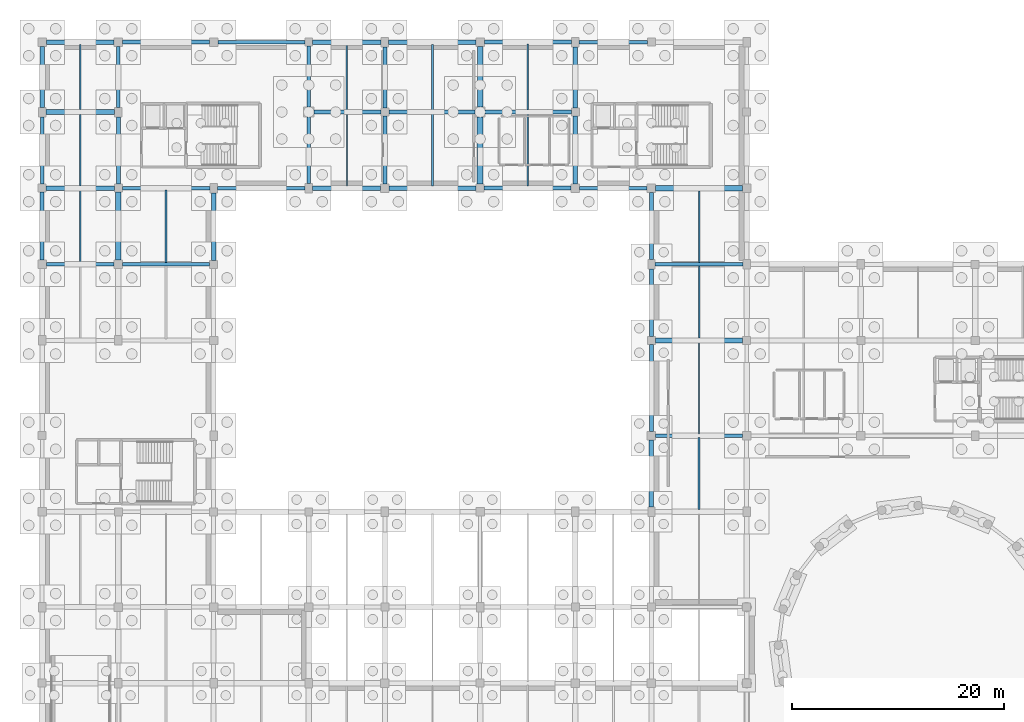
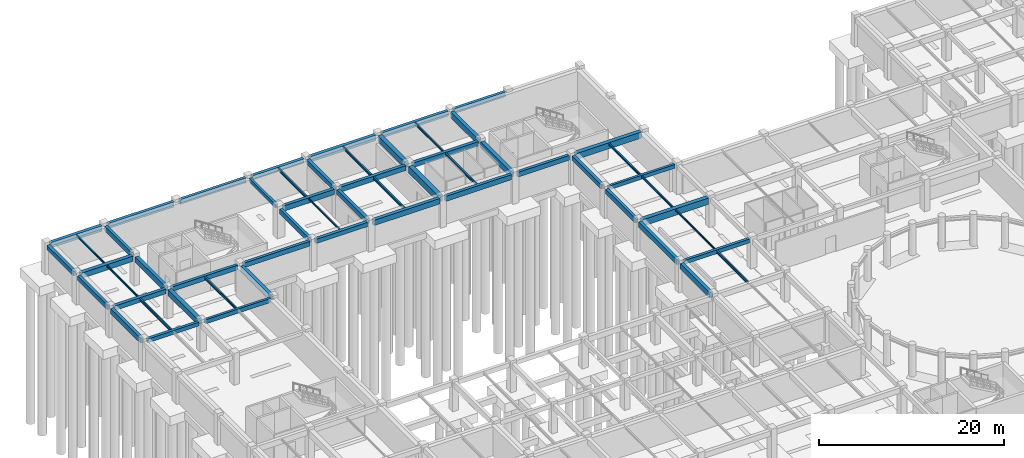
# One storey, part 22 of 42: 57 beams.
"""IFC4 building model written with IfcOpenShell, lengths in metres."""

from ifc_helpers import new_model, si_unit, direction, frame, origin, origin_2d, place, context, subcontext, project, spatial, rectangle, i_section, extrude, material, material_profile, profile_set, type_object, element, save


model = new_model("IFC4")

# Units and contexts
model_context = context("Model", 3, precision=1e-05, world=origin(), true_north=direction((0.0, 1.0)))
body_context = subcontext(model_context, "Body", "Model", "MODEL_VIEW")
ifc_project = project(units=[si_unit("LENGTHUNIT", "METRE"), si_unit("AREAUNIT", "SQUARE_METRE"), si_unit("VOLUMEUNIT", "CUBIC_METRE"), si_unit("PLANEANGLEUNIT", "RADIAN"), si_unit("MASSUNIT", "GRAM", prefix="KILO")], contexts=[model_context])

# Site, building, storey
site_placement = place(None, origin())
site = spatial("IfcSite", under=ifc_project, at=site_placement, CompositionType="ELEMENT")
building_placement = place(site_placement, origin())
building = spatial("IfcBuilding", under=site, at=building_placement, Name="Clarverna Civic Hall", CompositionType="ELEMENT")
storey_placement = place(building_placement, frame((0.0, 0.0, -4.199951171875)))
storey = spatial("IfcBuildingStorey", under=building, at=storey_placement, Name="B01", CompositionType="ELEMENT", Elevation=-4.199951171875)

# Beams
ifc_material_1 = material(Name="Concrete C35/45", Category="concrete")
ifc_material_profile_1 = material_profile(ifc_material_1, rectangle(XDim=0.5, YDim=0.85009765625, at=origin_2d()), Name="RC 500x850")
ifc_profile_set_1 = profile_set([ifc_material_profile_1], Name="Concrete C35/45")
beam_type_1 = type_object("IfcBeamType", Name="B-RC1", PredefinedType="BEAM", material=ifc_profile_set_1)
beam_1_placement = place(storey_placement, frame((57.97509765625, 87.800048828125, 3.4150390625), z_axis=(1.0, 0.0, 0.0), x_axis=(0.0, 1.0, 0.0)))
element("IfcBeam", 1, at=beam_1_placement, inside=storey, type_object=beam_type_1, Name="B-RC1-005", PredefinedType="BEAM", context=body_context, shape_type="SweptSolid", body=[
    extrude(rectangle(XDim=0.5, YDim=0.85009765625, at=origin_2d()), origin(), (0.0, 0.0, 1.0), 8.25),
])
ifc_material_profile_2 = material_profile(ifc_material_1, rectangle(XDim=0.35009765625, YDim=0.5, at=origin_2d()), Name="RC 350x500")
ifc_profile_set_2 = profile_set([ifc_material_profile_2], Name="Concrete C35/45")
beam_type_2 = type_object("IfcBeamType", Name="B-RC10", PredefinedType="BEAM", material=ifc_profile_set_2)
beam_2_placement = place(storey_placement, frame((58.0, 78.800048828125, 3.58984375), z_axis=(1.0, 0.0, 0.0), x_axis=(0.0, 1.0, 0.0)))
element("IfcBeam", 2, at=beam_2_placement, inside=storey, type_object=beam_type_2, Name="B-RC10-007", PredefinedType="BEAM", context=body_context, shape_type="SweptSolid", body=[
    extrude(rectangle(XDim=0.35009765625, YDim=0.5, at=origin_2d()), origin(), (0.0, 0.0, 1.0), 8.199951171875),
])
beam_3_placement = place(storey_placement, frame((0.39990234375, 95.0, 3.58984375), z_axis=(1.0, 0.0, 0.0), x_axis=(0.0, 1.0, 0.0)))
element("IfcBeam", 3, at=beam_3_placement, inside=storey, type_object=beam_type_2, Name="B-RC10-008", PredefinedType="BEAM", context=body_context, shape_type="SweptSolid", body=[
    extrude(rectangle(XDim=0.35009765625, YDim=0.5, at=origin_2d()), origin(), (0.0, 0.0, 1.0), 6.400146484375),
])
ifc_material_profile_3 = material_profile(ifc_material_1, rectangle(XDim=0.300048828125, YDim=0.550048828125, at=origin_2d()), Name="RC 300x550")
ifc_profile_set_3 = profile_set([ifc_material_profile_3], Name="Concrete C35/45")
beam_type_3 = type_object("IfcBeamType", Name="B-RC11", PredefinedType="BEAM", material=ifc_profile_set_3)
beam_4_placement = place(storey_placement, frame((7.60009765625, 95.0, 3.56494140625), z_axis=(1.0, 0.0, 0.0), x_axis=(0.0, 1.0, 0.0)))
element("IfcBeam", 4, at=beam_4_placement, inside=storey, type_object=beam_type_3, Name="B-RC11-008", PredefinedType="BEAM", context=body_context, shape_type="SweptSolid", body=[
    extrude(rectangle(XDim=0.300048828125, YDim=0.550048828125, at=origin_2d()), origin(), (0.0, 0.0, 1.0), 8.224853515625),
])
ifc_material_profile_4 = material_profile(ifc_material_1, rectangle(XDim=0.300048828125, YDim=0.5, at=origin_2d()), Name="RC 300x500")
ifc_profile_set_4 = profile_set([ifc_material_profile_4], Name="Concrete C35/45")
beam_type_4 = type_object("IfcBeamType", Name="B-RC12", PredefinedType="BEAM", material=ifc_profile_set_4)
beam_5_placement = place(storey_placement, frame((57.949951171875, 95.0, 3.58984375), z_axis=(1.0, 0.0, 0.0), x_axis=(0.0, 1.0, 0.0)))
element("IfcBeam", 5, at=beam_5_placement, inside=storey, type_object=beam_type_4, Name="B-RC12-008", PredefinedType="BEAM", context=body_context, shape_type="SweptSolid", body=[
    extrude(rectangle(XDim=0.300048828125, YDim=0.5, at=origin_2d()), origin(), (0.0, 0.0, 1.0), 8.300048828125),
])
ifc_material_profile_5 = material_profile(ifc_material_1, rectangle(XDim=0.550048828125, YDim=0.89990234375, at=origin_2d()), Name="RC 550x900")
ifc_profile_set_5 = profile_set([ifc_material_profile_5], Name="Concrete C35/45")
beam_type_5 = type_object("IfcBeamType", Name="B-RC13", PredefinedType="BEAM", material=ifc_profile_set_5)
beam_6_placement = place(storey_placement, frame((41.39990234375, 102.574951171875, 3.389892578125), z_axis=(0.0, 1.0, 0.0), x_axis=(-1.0, 0.0, 0.0)))
element("IfcBeam", 6, at=beam_6_placement, inside=storey, type_object=beam_type_5, Name="B-RC13-010", PredefinedType="BEAM", context=body_context, shape_type="SweptSolid", body=[
    extrude(rectangle(XDim=0.550048828125, YDim=0.89990234375, at=origin_2d()), origin(), (0.0, 0.0, 1.0), 6.35009765625),
])
ifc_material_profile_6 = material_profile(ifc_material_1, rectangle(XDim=0.5, YDim=0.800048828125, at=origin_2d()), Name="RC 500x800")
ifc_profile_set_6 = profile_set([ifc_material_profile_6], Name="Concrete C35/45")
beam_type_6 = type_object("IfcBeamType", Name="B-RC14", PredefinedType="BEAM", material=ifc_profile_set_6)
beam_7_placement = place(storey_placement, frame((58.0, 102.199951171875, 3.43994140625), z_axis=(1.0, 0.0, 0.0), x_axis=(0.0, 1.0, 0.0)))
element("IfcBeam", 7, at=beam_7_placement, inside=storey, type_object=beam_type_6, Name="B-RC14-008", PredefinedType="BEAM", context=body_context, shape_type="SweptSolid", body=[
    extrude(rectangle(XDim=0.5, YDim=0.800048828125, at=origin_2d()), origin(), (0.0, 0.0, 1.0), 8.199951171875),
])
beam_8_placement = place(storey_placement, frame((41.39990234375, 109.875, 3.43994140625), z_axis=(0.0, 1.0, 0.0), x_axis=(-1.0, 0.0, 0.0)))
element("IfcBeam", 8, at=beam_8_placement, inside=storey, type_object=beam_type_6, Name="B-RC14-011", PredefinedType="BEAM", context=body_context, shape_type="SweptSolid", body=[
    extrude(rectangle(XDim=0.5, YDim=0.800048828125, at=origin_2d()), origin(), (0.0, 0.0, 1.0), 5.72509765625),
])
ifc_material_profile_7 = material_profile(ifc_material_1, rectangle(XDim=0.5, YDim=0.75, at=origin_2d()), Name="RC 500x750")
ifc_profile_set_7 = profile_set([ifc_material_profile_7], Name="Concrete C35/45")
beam_type_7 = type_object("IfcBeamType", Name="B-RC15", PredefinedType="BEAM", material=ifc_profile_set_7)
beam_9_placement = place(storey_placement, frame((7.199951171875, 95.39990234375, 3.46484375), z_axis=(0.0, 1.0, 0.0), x_axis=(-1.0, 0.0, 0.0)))
element("IfcBeam", 9, at=beam_9_placement, inside=storey, type_object=beam_type_7, Name="B-RC15-009", PredefinedType="BEAM", context=body_context, shape_type="SweptSolid", body=[
    extrude(rectangle(XDim=0.5, YDim=0.75, at=origin_2d()), origin(), (0.0, 0.0, 1.0), 6.425048828125),
])
ifc_material_profile_8 = material_profile(ifc_material_1, rectangle(XDim=0.39990234375, YDim=0.75, at=origin_2d()), Name="RC 400x750")
ifc_profile_set_8 = profile_set([ifc_material_profile_8], Name="Concrete C35/45")
beam_type_8 = type_object("IfcBeamType", Name="B-RC16", PredefinedType="BEAM", material=ifc_profile_set_8)
beam_10_placement = place(storey_placement, frame((7.199951171875, 102.574951171875, 3.46484375), z_axis=(0.0, 1.0, 0.0), x_axis=(-1.0, 0.0, 0.0)))
element("IfcBeam", 10, at=beam_10_placement, inside=storey, type_object=beam_type_8, Name="B-RC16-010", PredefinedType="BEAM", context=body_context, shape_type="SweptSolid", body=[
    extrude(rectangle(XDim=0.39990234375, YDim=0.75, at=origin_2d()), origin(), (0.0, 0.0, 1.0), 6.375),
])
ifc_material_profile_9 = material_profile(ifc_material_1, rectangle(XDim=0.35009765625, YDim=0.64990234375, at=origin_2d()), Name="RC 350x650")
ifc_profile_set_9 = profile_set([ifc_material_profile_9], Name="Concrete C35/45")
beam_type_9 = type_object("IfcBeamType", Name="B-RC17", PredefinedType="BEAM", material=ifc_profile_set_9)
beam_11_placement = place(storey_placement, frame((7.199951171875, 109.85009765625, 3.514892578125), z_axis=(0.0, 1.0, 0.0), x_axis=(-1.0, 0.0, 0.0)))
element("IfcBeam", 11, at=beam_11_placement, inside=storey, type_object=beam_type_9, Name="B-RC17-010", PredefinedType="BEAM", context=body_context, shape_type="SweptSolid", body=[
    extrude(rectangle(XDim=0.35009765625, YDim=0.64990234375, at=origin_2d()), origin(), (0.0, 0.0, 1.0), 5.75),
])
beam_12_placement = place(storey_placement, frame((25.199951171875, 102.64990234375, 3.514892578125), z_axis=(0.0, 1.0, 0.0), x_axis=(-1.0, 0.0, 0.0)))
element("IfcBeam", 12, at=beam_12_placement, inside=storey, type_object=beam_type_9, Name="B-RC17-011", PredefinedType="BEAM", context=body_context, shape_type="SweptSolid", body=[
    extrude(rectangle(XDim=0.35009765625, YDim=0.64990234375, at=origin_2d()), origin(), (0.0, 0.0, 1.0), 6.275146484375),
])
ifc_material_profile_10 = material_profile(ifc_material_1, rectangle(XDim=0.300048828125, YDim=0.449951171875, at=origin_2d()), Name="RC 300x450")
ifc_profile_set_10 = profile_set([ifc_material_profile_10], Name="Concrete C35/45")
beam_type_10 = type_object("IfcBeamType", Name="B-RC18", PredefinedType="BEAM", material=ifc_profile_set_10)
beam_13_placement = place(storey_placement, frame((25.199951171875, 109.875, 3.614990234375), z_axis=(0.0, 1.0, 0.0), x_axis=(-1.0, 0.0, 0.0)))
element("IfcBeam", 13, at=beam_13_placement, inside=storey, type_object=beam_type_10, Name="B-RC18-009", PredefinedType="BEAM", context=body_context, shape_type="SweptSolid", body=[
    extrude(rectangle(XDim=0.300048828125, YDim=0.449951171875, at=origin_2d()), origin(), (0.0, 0.0, 1.0), 5.75),
])
ifc_material_profile_11 = material_profile(ifc_material_1, rectangle(XDim=0.449951171875, YDim=0.800048828125, at=origin_2d()), Name="RC 450x800")
ifc_profile_set_11 = profile_set([ifc_material_profile_11], Name="Concrete C35/45")
beam_type_11 = type_object("IfcBeamType", Name="B-RC2", PredefinedType="BEAM", material=ifc_profile_set_11)
beam_14_placement = place(storey_placement, frame((50.39990234375, 102.60009765625, 3.43994140625), z_axis=(0.0, 1.0, 0.0), x_axis=(-1.0, 0.0, 0.0)))
element("IfcBeam", 14, at=beam_14_placement, inside=storey, type_object=beam_type_11, Name="B-RC2-009", PredefinedType="BEAM", context=body_context, shape_type="SweptSolid", body=[
    extrude(rectangle(XDim=0.449951171875, YDim=0.800048828125, at=origin_2d()), origin(), (0.0, 0.0, 1.0), 6.4248046875),
])
ifc_material_profile_12 = material_profile(ifc_material_1, rectangle(XDim=0.449951171875, YDim=0.75, at=origin_2d()), Name="RC 450x750")
ifc_profile_set_12 = profile_set([ifc_material_profile_12], Name="Concrete C35/45")
beam_type_12 = type_object("IfcBeamType", Name="B-RC3", PredefinedType="BEAM", material=ifc_profile_set_12)
beam_15_placement = place(storey_placement, frame((50.39990234375, 109.77490234375, 3.46484375), z_axis=(0.0, 1.0, 0.0), x_axis=(-1.0, 0.0, 0.0)))
element("IfcBeam", 15, at=beam_15_placement, inside=storey, type_object=beam_type_12, Name="B-RC3-010", PredefinedType="BEAM", context=body_context, shape_type="SweptSolid", body=[
    extrude(rectangle(XDim=0.449951171875, YDim=0.75, at=origin_2d()), origin(), (0.0, 0.0, 1.0), 5.775146484375),
])
ifc_material_profile_13 = material_profile(ifc_material_1, rectangle(XDim=0.449951171875, YDim=0.699951171875, at=origin_2d()), Name="RC 450x700")
ifc_profile_set_13 = profile_set([ifc_material_profile_13], Name="Concrete C35/45")
beam_type_13 = type_object("IfcBeamType", Name="B-RC4", PredefinedType="BEAM", material=ifc_profile_set_13)
beam_16_placement = place(storey_placement, frame((0.35009765625, 109.39990234375, 3.489990234375), z_axis=(1.0, 0.0, 0.0), x_axis=(0.0, 1.0, 0.0)))
element("IfcBeam", 16, at=beam_16_placement, inside=storey, type_object=beam_type_13, Name="B-RC4-009", PredefinedType="BEAM", context=body_context, shape_type="SweptSolid", body=[
    extrude(rectangle(XDim=0.449951171875, YDim=0.699951171875, at=origin_2d()), origin(), (0.0, 0.0, 1.0), 6.5),
])
ifc_material_profile_14 = material_profile(ifc_material_1, rectangle(XDim=0.39990234375, YDim=0.699951171875, at=origin_2d()), Name="RC 400x700")
ifc_profile_set_14 = profile_set([ifc_material_profile_14], Name="Concrete C35/45")
beam_type_14 = type_object("IfcBeamType", Name="B-RC5", PredefinedType="BEAM", material=ifc_profile_set_14)
beam_17_placement = place(storey_placement, frame((25.675048828125, 109.39990234375, 3.489990234375), z_axis=(1.0, 0.0, 0.0), x_axis=(0.0, 1.0, 0.0)))
element("IfcBeam", 17, at=beam_17_placement, inside=storey, type_object=beam_type_14, Name="B-RC5-009", PredefinedType="BEAM", context=body_context, shape_type="SweptSolid", body=[
    extrude(rectangle(XDim=0.39990234375, YDim=0.699951171875, at=origin_2d()), origin(), (0.0, 0.0, 1.0), 6.349853515625),
])
ifc_material_profile_15 = material_profile(ifc_material_1, rectangle(XDim=0.39990234375, YDim=0.64990234375, at=origin_2d()), Name="RC 400x650")
ifc_profile_set_15 = profile_set([ifc_material_profile_15], Name="Concrete C35/45")
beam_type_15 = type_object("IfcBeamType", Name="B-RC6", PredefinedType="BEAM", material=ifc_profile_set_15)
beam_18_placement = place(storey_placement, frame((32.77490234375, 109.39990234375, 3.514892578125), z_axis=(1.0, 0.0, 0.0), x_axis=(0.0, 1.0, 0.0)))
element("IfcBeam", 18, at=beam_18_placement, inside=storey, type_object=beam_type_15, Name="B-RC6-007", PredefinedType="BEAM", context=body_context, shape_type="SweptSolid", body=[
    extrude(rectangle(XDim=0.39990234375, YDim=0.64990234375, at=origin_2d()), origin(), (0.0, 0.0, 1.0), 8.150146484375),
])
beam_19_placement = place(storey_placement, frame((32.39990234375, 102.60009765625, 3.514892578125), z_axis=(0.0, 1.0, 0.0), x_axis=(-1.0, 0.0, 0.0)))
element("IfcBeam", 19, at=beam_19_placement, inside=storey, type_object=beam_type_15, Name="B-RC6-010", PredefinedType="BEAM", context=body_context, shape_type="SweptSolid", body=[
    extrude(rectangle(XDim=0.39990234375, YDim=0.64990234375, at=origin_2d()), origin(), (0.0, 0.0, 1.0), 6.4248046875),
])
ifc_material_profile_16 = material_profile(ifc_material_1, rectangle(XDim=0.39990234375, YDim=0.60009765625, at=origin_2d()), Name="RC 400x600")
ifc_profile_set_16 = profile_set([ifc_material_profile_16], Name="Concrete C35/45")
beam_type_16 = type_object("IfcBeamType", Name="B-RC7", PredefinedType="BEAM", material=ifc_profile_set_16)
beam_20_placement = place(storey_placement, frame((0.375, 102.199951171875, 3.5400390625), z_axis=(1.0, 0.0, 0.0), x_axis=(0.0, 1.0, 0.0)))
element("IfcBeam", 20, at=beam_20_placement, inside=storey, type_object=beam_type_16, Name="B-RC7-008", PredefinedType="BEAM", context=body_context, shape_type="SweptSolid", body=[
    extrude(rectangle(XDim=0.39990234375, YDim=0.60009765625, at=origin_2d()), origin(), (0.0, 0.0, 1.0), 6.449951171875),
])
beam_21_placement = place(storey_placement, frame((41.875, 109.39990234375, 3.5400390625), z_axis=(1.0, 0.0, 0.0), x_axis=(0.0, 1.0, 0.0)))
element("IfcBeam", 21, at=beam_21_placement, inside=storey, type_object=beam_type_16, Name="B-RC7-009", PredefinedType="BEAM", context=body_context, shape_type="SweptSolid", body=[
    extrude(rectangle(XDim=0.39990234375, YDim=0.60009765625, at=origin_2d()), origin(), (0.0, 0.0, 1.0), 8.14990234375),
])
beam_22_placement = place(storey_placement, frame((32.39990234375, 109.77490234375, 3.5400390625), z_axis=(0.0, 1.0, 0.0), x_axis=(-1.0, 0.0, 0.0)))
element("IfcBeam", 22, at=beam_22_placement, inside=storey, type_object=beam_type_16, Name="B-RC7-012", PredefinedType="BEAM", context=body_context, shape_type="SweptSolid", body=[
    extrude(rectangle(XDim=0.39990234375, YDim=0.60009765625, at=origin_2d()), origin(), (0.0, 0.0, 1.0), 5.775146484375),
])
ifc_material_profile_17 = material_profile(ifc_material_1, rectangle(XDim=0.35009765625, YDim=0.60009765625, at=origin_2d()), Name="RC 350x600")
ifc_profile_set_17 = profile_set([ifc_material_profile_17], Name="Concrete C35/45")
beam_type_17 = type_object("IfcBeamType", Name="B-RC8", PredefinedType="BEAM", material=ifc_profile_set_17)
beam_23_placement = place(storey_placement, frame((7.574951171875, 102.199951171875, 3.5400390625), z_axis=(1.0, 0.0, 0.0), x_axis=(0.0, 1.0, 0.0)))
element("IfcBeam", 23, at=beam_23_placement, inside=storey, type_object=beam_type_17, Name="B-RC8-008", PredefinedType="BEAM", context=body_context, shape_type="SweptSolid", body=[
    extrude(rectangle(XDim=0.35009765625, YDim=0.60009765625, at=origin_2d()), origin(), (0.0, 0.0, 1.0), 8.275146484375),
])
ifc_material_profile_18 = material_profile(ifc_material_1, rectangle(XDim=0.419921875, YDim=0.719970703125, at=origin_2d()), Name="RC 420x720")
ifc_profile_set_18 = profile_set([ifc_material_profile_18], Name="Concrete C35/45")
beam_type_18 = type_object("IfcBeamType", Name="B-SP1", PredefinedType="SPANDREL", material=ifc_profile_set_18)
beam_24_placement = place(storey_placement, frame((32.800048828125, 102.199951171875, 3.47998046875), z_axis=(1.0, 0.0, 0.0), x_axis=(0.0, 1.0, 0.0)))
element("IfcBeam", 24, at=beam_24_placement, inside=storey, type_object=beam_type_18, Name="B-SP1-011", PredefinedType="SPANDREL", context=body_context, shape_type="SweptSolid", body=[
    extrude(rectangle(XDim=0.419921875, YDim=0.719970703125, at=origin_2d()), origin(), (0.0, 0.0, 1.0), 8.224853515625),
])
beam_25_placement = place(storey_placement, frame((0.39990234375, 116.0, 3.47998046875), z_axis=(1.0, 0.0, 0.0), x_axis=(0.0, 1.0, 0.0)))
element("IfcBeam", 25, at=beam_25_placement, inside=storey, type_object=beam_type_18, Name="B-SP1-013", PredefinedType="SPANDREL", context=body_context, shape_type="SweptSolid", body=[
    extrude(rectangle(XDim=0.419921875, YDim=0.719970703125, at=origin_2d()), origin(), (0.0, 0.0, 1.0), 6.400146484375),
])
beam_26_placement = place(storey_placement, frame((32.75, 116.0, 3.47998046875), z_axis=(1.0, 0.0, 0.0), x_axis=(0.0, 1.0, 0.0)))
element("IfcBeam", 26, at=beam_26_placement, inside=storey, type_object=beam_type_18, Name="B-SP1-014", PredefinedType="SPANDREL", context=body_context, shape_type="SweptSolid", body=[
    extrude(rectangle(XDim=0.419921875, YDim=0.719970703125, at=origin_2d()), origin(), (0.0, 0.0, 1.0), 8.25),
])
beam_27_placement = place(storey_placement, frame((16.199951171875, 95.375, 3.47998046875), z_axis=(0.0, 1.0, 0.0), x_axis=(-1.0, 0.0, 0.0)))
element("IfcBeam", 27, at=beam_27_placement, inside=storey, type_object=beam_type_18, Name="B-SP1-020", PredefinedType="SPANDREL", context=body_context, shape_type="SweptSolid", body=[
    extrude(rectangle(XDim=0.419921875, YDim=0.719970703125, at=origin_2d()), origin(), (0.0, 0.0, 1.0), 6.375),
])
beam_28_placement = place(storey_placement, frame((57.60009765625, 72.050048828125, 3.47998046875), z_axis=(0.0, 1.0, 0.0), x_axis=(-1.0, 0.0, 0.0)))
element("IfcBeam", 28, at=beam_28_placement, inside=storey, type_object=beam_type_18, Name="B-SP1-021", PredefinedType="SPANDREL", context=body_context, shape_type="SweptSolid", body=[
    extrude(rectangle(XDim=0.419921875, YDim=0.719970703125, at=origin_2d()), origin(), (0.0, 0.0, 1.0), 6.349853515625),
])
ifc_material_profile_19 = material_profile(ifc_material_1, rectangle(XDim=0.3798828125, YDim=0.679931640625, at=origin_2d()), Name="RC 380x680")
ifc_profile_set_19 = profile_set([ifc_material_profile_19], Name="Concrete C35/45")
beam_type_19 = type_object("IfcBeamType", Name="B-SP2", PredefinedType="SPANDREL", material=ifc_profile_set_19)
beam_29_placement = place(storey_placement, frame((41.77490234375, 102.199951171875, 3.5), z_axis=(1.0, 0.0, 0.0), x_axis=(0.0, 1.0, 0.0)))
element("IfcBeam", 29, at=beam_29_placement, inside=storey, type_object=beam_type_19, Name="B-SP2-012", PredefinedType="SPANDREL", context=body_context, shape_type="SweptSolid", body=[
    extrude(rectangle(XDim=0.3798828125, YDim=0.679931640625, at=origin_2d()), origin(), (0.0, 0.0, 1.0), 8.22509765625),
])
beam_30_placement = place(storey_placement, frame((7.60009765625, 116.0, 3.5), z_axis=(1.0, 0.0, 0.0), x_axis=(0.0, 1.0, 0.0)))
element("IfcBeam", 30, at=beam_30_placement, inside=storey, type_object=beam_type_19, Name="B-SP2-013", PredefinedType="SPANDREL", context=body_context, shape_type="SweptSolid", body=[
    extrude(rectangle(XDim=0.3798828125, YDim=0.679931640625, at=origin_2d()), origin(), (0.0, 0.0, 1.0), 8.199951171875),
])
beam_31_placement = place(storey_placement, frame((41.800048828125, 116.0, 3.5), z_axis=(1.0, 0.0, 0.0), x_axis=(0.0, 1.0, 0.0)))
element("IfcBeam", 31, at=beam_31_placement, inside=storey, type_object=beam_type_19, Name="B-SP2-014", PredefinedType="SPANDREL", context=body_context, shape_type="SweptSolid", body=[
    extrude(rectangle(XDim=0.3798828125, YDim=0.679931640625, at=origin_2d()), origin(), (0.0, 0.0, 1.0), 8.25),
])
beam_32_placement = place(storey_placement, frame((0.0, 95.39990234375, 3.5), z_axis=(0.0, 1.0, 0.0), x_axis=(-1.0, 0.0, 0.0)))
element("IfcBeam", 32, at=beam_32_placement, inside=storey, type_object=beam_type_19, Name="B-SP2-019", PredefinedType="SPANDREL", context=body_context, shape_type="SweptSolid", body=[
    extrude(rectangle(XDim=0.3798828125, YDim=0.679931640625, at=origin_2d()), origin(), (0.0, 0.0, 1.0), 6.425048828125),
])
beam_33_placement = place(storey_placement, frame((57.60009765625, 79.199951171875, 3.5), z_axis=(0.0, 1.0, 0.0), x_axis=(-1.0, 0.0, 0.0)))
element("IfcBeam", 33, at=beam_33_placement, inside=storey, type_object=beam_type_19, Name="B-SP2-021", PredefinedType="SPANDREL", context=body_context, shape_type="SweptSolid", body=[
    extrude(rectangle(XDim=0.3798828125, YDim=0.679931640625, at=origin_2d()), origin(), (0.0, 0.0, 1.0), 8.22509765625),
])
ifc_material_profile_20 = material_profile(ifc_material_1, rectangle(XDim=0.360107421875, YDim=0.6201171875, at=origin_2d()), Name="RC 360x620")
ifc_profile_set_20 = profile_set([ifc_material_profile_20], Name="Concrete C35/45")
beam_type_20 = type_object("IfcBeamType", Name="B-SP3", PredefinedType="SPANDREL", material=ifc_profile_set_20)
beam_34_placement = place(storey_placement, frame((16.550048828125, 102.199951171875, 3.530029296875), z_axis=(1.0, 0.0, 0.0), x_axis=(0.0, 1.0, 0.0)))
element("IfcBeam", 34, at=beam_34_placement, inside=storey, type_object=beam_type_20, Name="B-SP3-011", PredefinedType="SPANDREL", context=body_context, shape_type="SweptSolid", body=[
    extrude(rectangle(XDim=0.360107421875, YDim=0.6201171875, at=origin_2d()), origin(), (0.0, 0.0, 1.0), 8.300048828125),
])
beam_35_placement = place(storey_placement, frame((50.800048828125, 102.199951171875, 3.530029296875), z_axis=(1.0, 0.0, 0.0), x_axis=(0.0, 1.0, 0.0)))
element("IfcBeam", 35, at=beam_35_placement, inside=storey, type_object=beam_type_20, Name="B-SP3-012", PredefinedType="SPANDREL", context=body_context, shape_type="SweptSolid", body=[
    extrude(rectangle(XDim=0.360107421875, YDim=0.6201171875, at=origin_2d()), origin(), (0.0, 0.0, 1.0), 6.39990234375),
])
beam_36_placement = place(storey_placement, frame((16.60009765625, 116.0, 3.530029296875), z_axis=(1.0, 0.0, 0.0), x_axis=(0.0, 1.0, 0.0)))
element("IfcBeam", 36, at=beam_36_placement, inside=storey, type_object=beam_type_20, Name="B-SP3-013", PredefinedType="SPANDREL", context=body_context, shape_type="SweptSolid", body=[
    extrude(rectangle(XDim=0.360107421875, YDim=0.6201171875, at=origin_2d()), origin(), (0.0, 0.0, 1.0), 8.224853515625),
])
beam_37_placement = place(storey_placement, frame((50.75, 116.0, 3.530029296875), z_axis=(1.0, 0.0, 0.0), x_axis=(0.0, 1.0, 0.0)))
element("IfcBeam", 37, at=beam_37_placement, inside=storey, type_object=beam_type_20, Name="B-SP3-014", PredefinedType="SPANDREL", context=body_context, shape_type="SweptSolid", body=[
    extrude(rectangle(XDim=0.360107421875, YDim=0.6201171875, at=origin_2d()), origin(), (0.0, 0.0, 1.0), 6.47509765625),
])
for number, where, z_axis, x_axis, name in (
    (38, (0.0, 102.574951171875, 3.530029296875), (0.0, 1.0, 0.0), (-1.0, 0.0, 0.0), "B-SP3-019"),
    (39, (57.60009765625, 88.175048828125, 3.530029296875), (0.0, 1.0, 0.0), (-1.0, 0.0, 0.0), "B-SP3-021"),
):
    element("IfcBeam", number, at=place(storey_placement, frame(where, z_axis=z_axis, x_axis=x_axis)), inside=storey, type_object=beam_type_20, Name=name, PredefinedType="SPANDREL", context=body_context, shape_type="SweptSolid", body=[
        extrude(rectangle(XDim=0.360107421875, YDim=0.6201171875, at=origin_2d()), origin(), (0.0, 0.0, 1.0), 6.375),
    ])
ifc_material_profile_21 = material_profile(ifc_material_1, rectangle(XDim=0.39990234375, YDim=0.56005859375, at=origin_2d()), Name="RC 400x560")
ifc_profile_set_21 = profile_set([ifc_material_profile_21], Name="Concrete C35/45")
beam_type_21 = type_object("IfcBeamType", Name="B-SP4", PredefinedType="SPANDREL", material=ifc_profile_set_21)
beam_38_placement = place(storey_placement, frame((25.550048828125, 102.199951171875, 3.56005859375), z_axis=(1.0, 0.0, 0.0), x_axis=(0.0, 1.0, 0.0)))
element("IfcBeam", 40, at=beam_38_placement, inside=storey, type_object=beam_type_21, Name="B-SP4-011", PredefinedType="SPANDREL", context=body_context, shape_type="SweptSolid", body=[
    extrude(rectangle(XDim=0.39990234375, YDim=0.56005859375, at=origin_2d()), origin(), (0.0, 0.0, 1.0), 6.449951171875),
])
beam_39_placement = place(storey_placement, frame((25.574951171875, 116.0, 3.56005859375), z_axis=(1.0, 0.0, 0.0), x_axis=(0.0, 1.0, 0.0)))
element("IfcBeam", 41, at=beam_39_placement, inside=storey, type_object=beam_type_21, Name="B-SP4-013", PredefinedType="SPANDREL", context=body_context, shape_type="SweptSolid", body=[
    extrude(rectangle(XDim=0.39990234375, YDim=0.56005859375, at=origin_2d()), origin(), (0.0, 0.0, 1.0), 6.47509765625),
])
beam_40_placement = place(storey_placement, frame((0.0, 109.85009765625, 3.56005859375), z_axis=(0.0, 1.0, 0.0), x_axis=(-1.0, 0.0, 0.0)))
element("IfcBeam", 42, at=beam_40_placement, inside=storey, type_object=beam_type_21, Name="B-SP4-019", PredefinedType="SPANDREL", context=body_context, shape_type="SweptSolid", body=[
    extrude(rectangle(XDim=0.39990234375, YDim=0.56005859375, at=origin_2d()), origin(), (0.0, 0.0, 1.0), 5.75),
])
beam_41_placement = place(storey_placement, frame((57.60009765625, 95.449951171875, 3.56005859375), z_axis=(0.0, 1.0, 0.0), x_axis=(-1.0, 0.0, 0.0)))
element("IfcBeam", 43, at=beam_41_placement, inside=storey, type_object=beam_type_21, Name="B-SP4-021", PredefinedType="SPANDREL", context=body_context, shape_type="SweptSolid", body=[
    extrude(rectangle(XDim=0.39990234375, YDim=0.56005859375, at=origin_2d()), origin(), (0.0, 0.0, 1.0), 6.35009765625),
])
ifc_material_2 = material(Name="Steel S355", Category="steel")
ifc_material_profile_22 = material_profile(ifc_material_2, i_section(OverallWidth=0.169921875, OverallDepth=0.360107421875, WebThickness=0.008056640625, FlangeThickness=0.0126953125, FilletRadius=0.01806640625, at=origin_2d()), Name="IPE 360")
ifc_profile_set_22 = profile_set([ifc_material_profile_22], Name="Steel S355")
beam_type_22 = type_object("IfcBeamType", Name="J-ST1", PredefinedType="JOIST", material=ifc_profile_set_22)
for number, where, z_axis, x_axis, name in (
    (44, (62.10009765625, 71.800048828125, 3.659912109375), (0.0, 1.0, 0.0), (-1.0, 0.0, 0.0), "J-ST1-016"),
    (45, (3.60009765625, 95.175048828125, 3.659912109375), (0.0, 1.0, 0.0), (-1.0, 0.0, 0.0), "J-ST1-019"),
):
    element("IfcBeam", number, at=place(storey_placement, frame(where, z_axis=z_axis, x_axis=x_axis)), inside=storey, type_object=beam_type_22, Name=name, PredefinedType="JOIST", context=body_context, shape_type="SweptSolid", body=[
        extrude(i_section(OverallWidth=0.169921875, OverallDepth=0.360107421875, WebThickness=0.008056640625, FlangeThickness=0.0126953125, FilletRadius=0.01806640625, at=origin_2d()), origin(), (0.0, 0.0, 1.0), 6.824951171875),
    ])
beam_42_placement = place(storey_placement, frame((36.89990234375, 102.409912109375, 3.659912109375), z_axis=(0.0, 1.0, 0.0), x_axis=(-1.0, 0.0, 0.0)))
element("IfcBeam", 46, at=beam_42_placement, inside=storey, type_object=beam_type_22, Name="J-ST1-021", PredefinedType="JOIST", context=body_context, shape_type="SweptSolid", body=[
    extrude(i_section(OverallWidth=0.169921875, OverallDepth=0.360107421875, WebThickness=0.008056640625, FlangeThickness=0.0126953125, FilletRadius=0.01806640625, at=origin_2d()), origin(), (0.0, 0.0, 1.0), 6.7900390625),
])
beam_43_placement = place(storey_placement, frame((28.800048828125, 109.60009765625, 3.659912109375), z_axis=(0.0, 1.0, 0.0), x_axis=(-1.0, 0.0, 0.0)))
element("IfcBeam", 47, at=beam_43_placement, inside=storey, type_object=beam_type_22, Name="J-ST1-022", PredefinedType="JOIST", context=body_context, shape_type="SweptSolid", body=[
    extrude(i_section(OverallWidth=0.169921875, OverallDepth=0.360107421875, WebThickness=0.008056640625, FlangeThickness=0.0126953125, FilletRadius=0.01806640625, at=origin_2d()), origin(), (0.0, 0.0, 1.0), 6.199951171875),
])
ifc_material_profile_23 = material_profile(ifc_material_2, i_section(OverallWidth=0.159912109375, OverallDepth=0.330078125, WebThickness=0.007568359375, FlangeThickness=0.011474609375, FilletRadius=0.01806640625, at=origin_2d()), Name="IPE 330")
ifc_profile_set_23 = profile_set([ifc_material_profile_23], Name="Steel S355")
beam_type_23 = type_object("IfcBeamType", Name="J-ST2", PredefinedType="JOIST", material=ifc_profile_set_23)
beam_44_placement = place(storey_placement, frame((11.699951171875, 95.14990234375, 3.675048828125), z_axis=(0.0, 1.0, 0.0), x_axis=(-1.0, 0.0, 0.0)))
element("IfcBeam", 48, at=beam_44_placement, inside=storey, type_object=beam_type_23, Name="J-ST2-019", PredefinedType="JOIST", context=body_context, shape_type="SweptSolid", body=[
    extrude(i_section(OverallWidth=0.159912109375, OverallDepth=0.330078125, WebThickness=0.007568359375, FlangeThickness=0.011474609375, FilletRadius=0.01806640625, at=origin_2d()), origin(), (0.0, 0.0, 1.0), 6.875),
])
beam_45_placement = place(storey_placement, frame((45.89990234375, 102.389892578125, 3.675048828125), z_axis=(0.0, 1.0, 0.0), x_axis=(-1.0, 0.0, 0.0)))
element("IfcBeam", 49, at=beam_45_placement, inside=storey, type_object=beam_type_23, Name="J-ST2-021", PredefinedType="JOIST", context=body_context, shape_type="SweptSolid", body=[
    extrude(i_section(OverallWidth=0.159912109375, OverallDepth=0.330078125, WebThickness=0.007568359375, FlangeThickness=0.011474609375, FilletRadius=0.01806640625, at=origin_2d()), origin(), (0.0, 0.0, 1.0), 6.81005859375),
])
beam_46_placement = place(storey_placement, frame((36.89990234375, 109.60009765625, 3.675048828125), z_axis=(0.0, 1.0, 0.0), x_axis=(-1.0, 0.0, 0.0)))
element("IfcBeam", 50, at=beam_46_placement, inside=storey, type_object=beam_type_23, Name="J-ST2-022", PredefinedType="JOIST", context=body_context, shape_type="SweptSolid", body=[
    extrude(i_section(OverallWidth=0.159912109375, OverallDepth=0.330078125, WebThickness=0.007568359375, FlangeThickness=0.011474609375, FilletRadius=0.01806640625, at=origin_2d()), origin(), (0.0, 0.0, 1.0), 6.18994140625),
])
ifc_material_profile_24 = material_profile(ifc_material_2, i_section(OverallWidth=0.14990234375, OverallDepth=0.300048828125, WebThickness=0.007080078125, FlangeThickness=0.0107421875, FilletRadius=0.014892578125, at=origin_2d()), Name="IPE 300")
ifc_profile_set_24 = profile_set([ifc_material_profile_24], Name="Steel S355")
beam_type_24 = type_object("IfcBeamType", Name="J-ST3", PredefinedType="JOIST", material=ifc_profile_set_24)
beam_47_placement = place(storey_placement, frame((62.10009765625, 95.14990234375, 3.68994140625), z_axis=(0.0, 1.0, 0.0), x_axis=(-1.0, 0.0, 0.0)))
element("IfcBeam", 51, at=beam_47_placement, inside=storey, type_object=beam_type_24, Name="J-ST3-019", PredefinedType="JOIST", context=body_context, shape_type="SweptSolid", body=[
    extrude(i_section(OverallWidth=0.14990234375, OverallDepth=0.300048828125, WebThickness=0.007080078125, FlangeThickness=0.0107421875, FilletRadius=0.014892578125, at=origin_2d()), origin(), (0.0, 0.0, 1.0), 6.800048828125),
])
beam_48_placement = place(storey_placement, frame((45.89990234375, 109.60009765625, 3.68994140625), z_axis=(0.0, 1.0, 0.0), x_axis=(-1.0, 0.0, 0.0)))
element("IfcBeam", 52, at=beam_48_placement, inside=storey, type_object=beam_type_24, Name="J-ST3-022", PredefinedType="JOIST", context=body_context, shape_type="SweptSolid", body=[
    extrude(i_section(OverallWidth=0.14990234375, OverallDepth=0.300048828125, WebThickness=0.007080078125, FlangeThickness=0.0107421875, FilletRadius=0.014892578125, at=origin_2d()), origin(), (0.0, 0.0, 1.0), 6.2099609375),
])
ifc_material_profile_25 = material_profile(ifc_material_2, i_section(OverallWidth=0.135009765625, OverallDepth=0.27001953125, WebThickness=0.006591796875, FlangeThickness=0.01025390625, FilletRadius=0.014892578125, at=origin_2d()), Name="IPE 270")
ifc_profile_set_25 = profile_set([ifc_material_profile_25], Name="Steel S355")
beam_type_25 = type_object("IfcBeamType", Name="J-ST4", PredefinedType="JOIST", material=ifc_profile_set_25)
beam_49_placement = place(storey_placement, frame((62.10009765625, 88.050048828125, 3.704833984375), z_axis=(0.0, 1.0, 0.0), x_axis=(-1.0, 0.0, 0.0)))
element("IfcBeam", 53, at=beam_49_placement, inside=storey, type_object=beam_type_25, Name="J-ST4-019", PredefinedType="JOIST", context=body_context, shape_type="SweptSolid", body=[
    extrude(i_section(OverallWidth=0.135009765625, OverallDepth=0.27001953125, WebThickness=0.006591796875, FlangeThickness=0.01025390625, FilletRadius=0.014892578125, at=origin_2d()), origin(), (0.0, 0.0, 1.0), 6.800048828125),
])
ifc_material_profile_26 = material_profile(ifc_material_2, i_section(OverallWidth=0.1201171875, OverallDepth=0.239990234375, WebThickness=0.006103515625, FlangeThickness=0.009765625, FilletRadius=0.014892578125, at=origin_2d()), Name="IPE 240")
ifc_profile_set_26 = profile_set([ifc_material_profile_26], Name="Steel S355")
beam_type_26 = type_object("IfcBeamType", Name="J-ST5", PredefinedType="JOIST", material=ifc_profile_set_26)
beam_50_placement = place(storey_placement, frame((62.10009765625, 78.97509765625, 3.719970703125), z_axis=(0.0, 1.0, 0.0), x_axis=(-1.0, 0.0, 0.0)))
element("IfcBeam", 54, at=beam_50_placement, inside=storey, type_object=beam_type_26, Name="J-ST5-016", PredefinedType="JOIST", context=body_context, shape_type="SweptSolid", body=[
    extrude(i_section(OverallWidth=0.1201171875, OverallDepth=0.239990234375, WebThickness=0.006103515625, FlangeThickness=0.009765625, FilletRadius=0.014892578125, at=origin_2d()), origin(), (0.0, 0.0, 1.0), 8.574951171875),
])
beam_51_placement = place(storey_placement, frame((3.60009765625, 102.39990234375, 3.719970703125), z_axis=(0.0, 1.0, 0.0), x_axis=(-1.0, 0.0, 0.0)))
element("IfcBeam", 55, at=beam_51_placement, inside=storey, type_object=beam_type_26, Name="J-ST5-020", PredefinedType="JOIST", context=body_context, shape_type="SweptSolid", body=[
    extrude(i_section(OverallWidth=0.1201171875, OverallDepth=0.239990234375, WebThickness=0.006103515625, FlangeThickness=0.009765625, FilletRadius=0.014892578125, at=origin_2d()), origin(), (0.0, 0.0, 1.0), 6.775146484375),
])
ifc_material_profile_27 = material_profile(ifc_material_2, i_section(OverallWidth=0.110107421875, OverallDepth=0.219970703125, WebThickness=0.005859375, FlangeThickness=0.00927734375, FilletRadius=0.011962890625, at=origin_2d()), Name="IPE 220")
ifc_profile_set_27 = profile_set([ifc_material_profile_27], Name="Steel S355")
beam_type_27 = type_object("IfcBeamType", Name="J-ST6", PredefinedType="JOIST", material=ifc_profile_set_27)
beam_52_placement = place(storey_placement, frame((28.800048828125, 102.39990234375, 3.72998046875), z_axis=(0.0, 1.0, 0.0), x_axis=(-1.0, 0.0, 0.0)))
element("IfcBeam", 56, at=beam_52_placement, inside=storey, type_object=beam_type_27, Name="J-ST6-021", PredefinedType="JOIST", context=body_context, shape_type="SweptSolid", body=[
    extrude(i_section(OverallWidth=0.110107421875, OverallDepth=0.219970703125, WebThickness=0.005859375, FlangeThickness=0.00927734375, FilletRadius=0.011962890625, at=origin_2d()), origin(), (0.0, 0.0, 1.0), 6.800048828125),
])
beam_53_placement = place(storey_placement, frame((3.60009765625, 109.625, 3.72998046875), z_axis=(0.0, 1.0, 0.0), x_axis=(-1.0, 0.0, 0.0)))
element("IfcBeam", 57, at=beam_53_placement, inside=storey, type_object=beam_type_27, Name="J-ST6-022", PredefinedType="JOIST", context=body_context, shape_type="SweptSolid", body=[
    extrude(i_section(OverallWidth=0.110107421875, OverallDepth=0.219970703125, WebThickness=0.005859375, FlangeThickness=0.00927734375, FilletRadius=0.011962890625, at=origin_2d()), origin(), (0.0, 0.0, 1.0), 6.1650390625),
])

save(model, "model.ifc")
